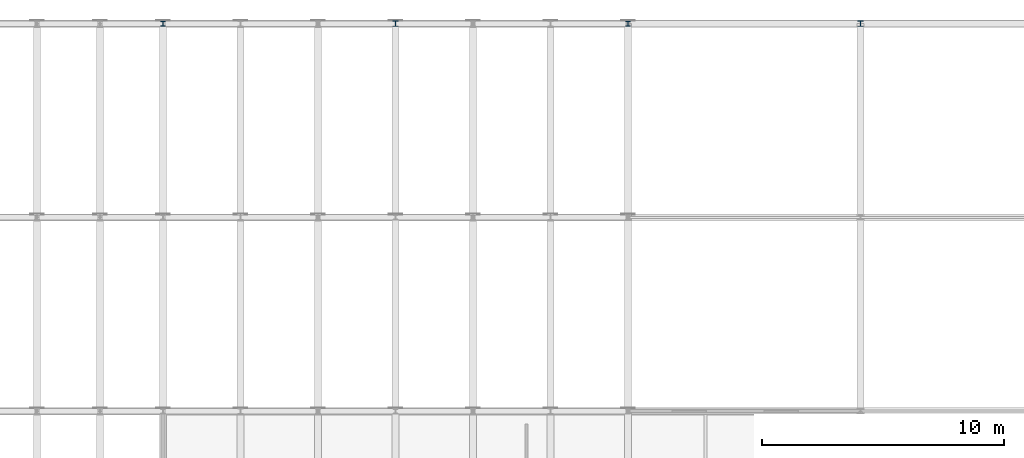
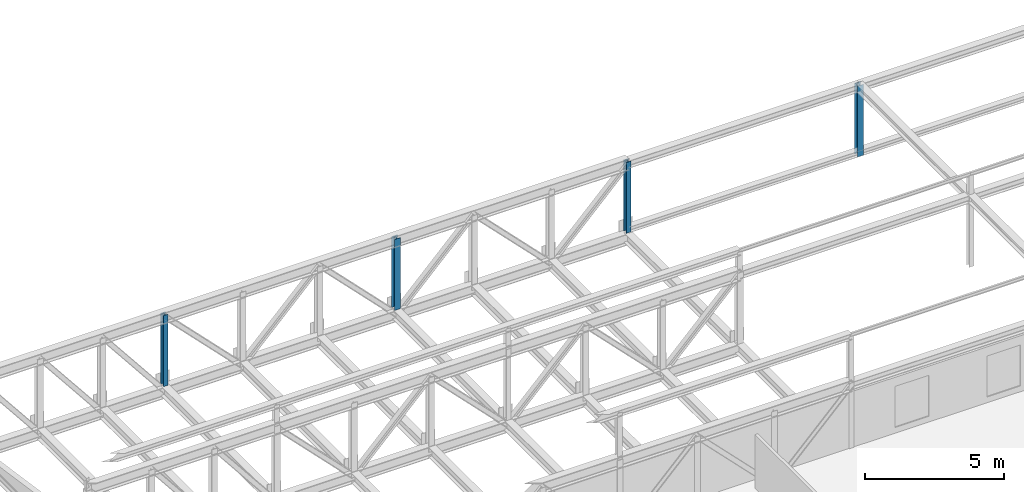
# One storey, part 7 of 34: 4 columns.
"""IFC4 building model written with IfcOpenShell, lengths in metres."""

from ifc_helpers import new_model, si_unit, direction, frame, origin, origin_2d, place, context, subcontext, project, spatial, i_section, extrude, material, material_profile, profile_set, type_object, element, save


model = new_model("IFC4")

# Units and contexts
model_context = context("Model", 3, precision=1e-05, world=origin(), true_north=direction((0.0, 1.0)))
body_context = subcontext(model_context, "Body", "Model", "MODEL_VIEW")
ifc_project = project(units=[si_unit("LENGTHUNIT", "METRE"), si_unit("AREAUNIT", "SQUARE_METRE"), si_unit("VOLUMEUNIT", "CUBIC_METRE"), si_unit("PLANEANGLEUNIT", "RADIAN"), si_unit("MASSUNIT", "GRAM", prefix="KILO")], contexts=[model_context])

# Site, building, storey
site_placement = place(None, origin())
site = spatial("IfcSite", under=ifc_project, at=site_placement, CompositionType="ELEMENT")
building_placement = place(site_placement, origin())
building = spatial("IfcBuilding", under=site, at=building_placement, Name="Alderhovde Museum", CompositionType="ELEMENT")
storey_placement = place(building_placement, frame((0.0, 0.0, 25.800048828125)))
storey = spatial("IfcBuildingStorey", under=building, at=storey_placement, Name="L05", CompositionType="ELEMENT", Elevation=25.800048828125)

# Columns
ifc_material_1 = material(Name="Steel S355J2", Category="steel")
ifc_material_profile_1 = material_profile(ifc_material_1, i_section(OverallWidth=0.239990234375, OverallDepth=0.22998046875, WebThickness=0.007568359375, FlangeThickness=0.011962890625, FilletRadius=0.02099609375, at=origin_2d()), Name="HEA 240")
ifc_profile_set_1 = profile_set([ifc_material_profile_1], Name="Steel S355J2")
column_type_1 = type_object("IfcColumnType", Name="COL-HEA240", PredefinedType="COLUMN", material=ifc_profile_set_1)
for number, where, z_axis, x_axis, name in (
    (1, (19.199951171875, 112.0, -0.260009765625), (0.0, 0.0, 1.0), (1.0, 0.0, 0.0), "L05 Column (19.2, 112.0)"),
    (2, (38.39990234375, 112.0, -0.260009765625), (0.0, 0.0, 1.0), (1.0, 0.0, 0.0), "L05 Column (38.4, 112.0)"),
):
    element("IfcColumn", number, at=place(storey_placement, frame(where, z_axis=z_axis, x_axis=x_axis)), inside=storey, type_object=column_type_1, Name=name, PredefinedType="COLUMN", context=body_context, shape_type="SweptSolid", body=[
        extrude(i_section(OverallWidth=0.239990234375, OverallDepth=0.22998046875, WebThickness=0.007568359375, FlangeThickness=0.011962890625, FilletRadius=0.02099609375, at=origin_2d()), origin(), (0.0, 0.0, 1.0), 3.10986328125),
    ])
ifc_material_2 = material(Name="Steel S355J2", Category="steel")
ifc_material_profile_2 = material_profile(ifc_material_2, i_section(OverallWidth=0.199951171875, OverallDepth=0.199951171875, WebThickness=0.009033203125, FlangeThickness=0.014892578125, FilletRadius=0.01806640625, at=origin_2d()), Name="HEB 200")
ifc_profile_set_2 = profile_set([ifc_material_profile_2], Name="Steel S355J2")
column_type_2 = type_object("IfcColumnType", Name="COL-HEB200", PredefinedType="COLUMN", material=ifc_profile_set_2)
for number, where, z_axis, x_axis, name in (
    (3, (9.60009765625, 112.0, -0.260009765625), (0.0, 0.0, 1.0), (1.0, 0.0, 0.0), "L05 Column (9.6, 112.0)"),
    (4, (28.800048828125, 112.0, -0.260009765625), (0.0, 0.0, 1.0), (1.0, 0.0, 0.0), "L05 Column (28.8, 112.0)"),
):
    element("IfcColumn", number, at=place(storey_placement, frame(where, z_axis=z_axis, x_axis=x_axis)), inside=storey, type_object=column_type_2, Name=name, PredefinedType="COLUMN", context=body_context, shape_type="SweptSolid", body=[
        extrude(i_section(OverallWidth=0.199951171875, OverallDepth=0.199951171875, WebThickness=0.009033203125, FlangeThickness=0.014892578125, FilletRadius=0.01806640625, at=origin_2d()), origin(), (0.0, 0.0, 1.0), 3.10986328125),
    ])

save(model, "model.ifc")
